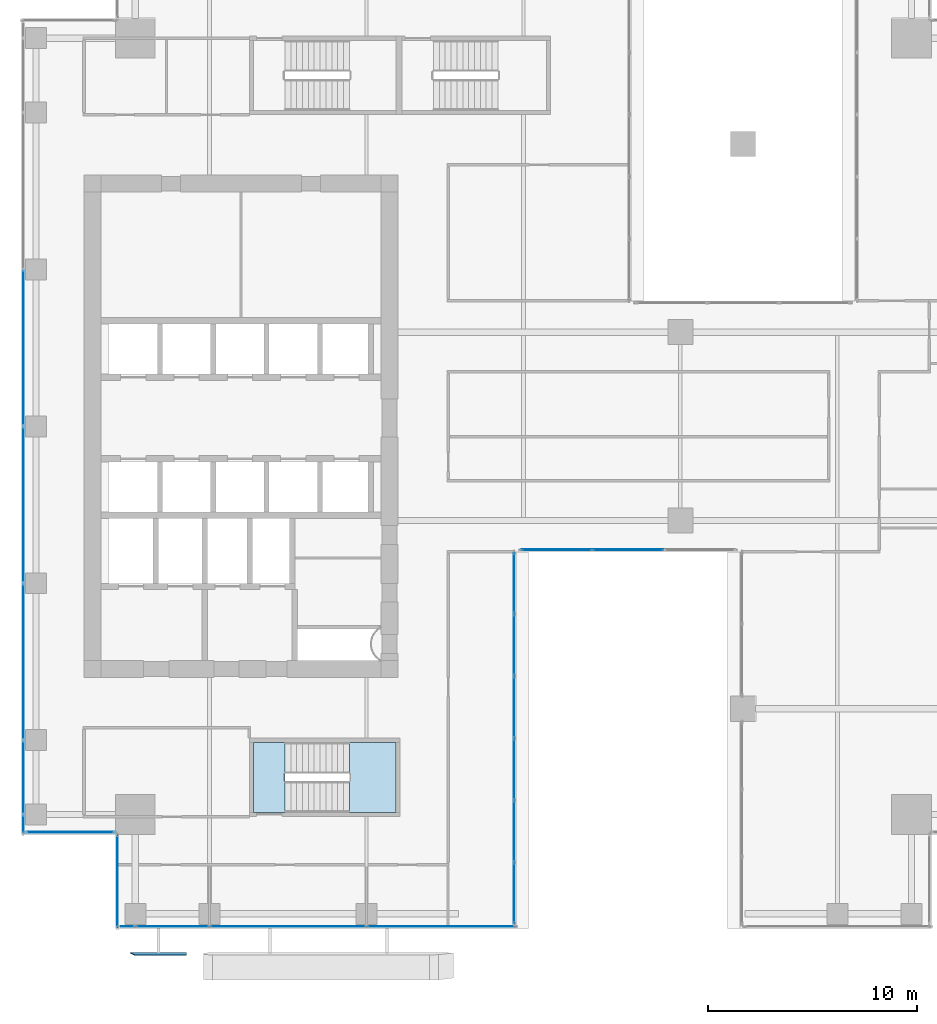
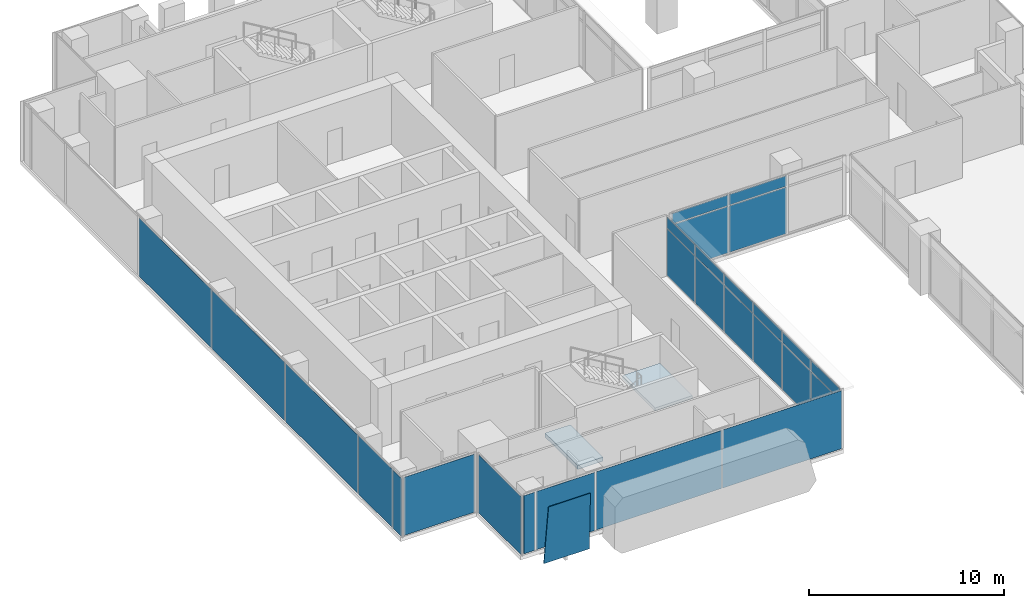
# One storey, part 28 of 38: 28 plates, 2 slabs, 7 elements without a shape of their own.
"""IFC4 building model written with IfcOpenShell, lengths in metres."""

from ifc_helpers import new_model, si_unit, direction, frame, origin, origin_2d, place, context, subcontext, project, spatial, polyline, rectangle, outline, extrude, source, transform, mapped, material, layer, layer_set, type_object, element, aggregate, save


model = new_model("IFC4")

# Units and contexts
model_context = context("Model", 3, precision=1e-05, world=origin(), true_north=direction((0.0, 1.0)))
body_context = subcontext(model_context, "Body", "Model", "MODEL_VIEW")
ifc_project = project(units=[si_unit("LENGTHUNIT", "METRE"), si_unit("AREAUNIT", "SQUARE_METRE"), si_unit("VOLUMEUNIT", "CUBIC_METRE"), si_unit("PLANEANGLEUNIT", "RADIAN"), si_unit("MASSUNIT", "GRAM", prefix="KILO")], contexts=[model_context])

# Site, building, storey
site_placement = place(None, origin())
site = spatial("IfcSite", under=ifc_project, at=site_placement, CompositionType="ELEMENT")
building_placement = place(site_placement, origin())
building = spatial("IfcBuilding", under=site, at=building_placement, Name="Khomas Fold Tower", CompositionType="ELEMENT")
storey_placement = place(building_placement, frame((0.0, 0.0, 172.699951171875)))
storey = spatial("IfcBuildingStorey", under=building, at=storey_placement, Name="L37", CompositionType="ELEMENT", Elevation=172.699951171875)

# Plate
ifc_material_1 = material(Name="Clear laminated glass", Category="glass")
ifc_layer_1 = layer(ifc_material_1, 0.0400390625)
ifc_layer_set_1 = layer_set([ifc_layer_1], Name="Clear laminated glass")
plate_type_1 = type_object("IfcPlateType", Name="SK-Clear laminated glass leaf", PredefinedType="SHEET", material=ifc_layer_set_1)
plate_1_placement = place(storey_placement, frame((10.89990234375, 1.849609375, 0.0), z_axis=(0.0, 0.999510801098, 0.031275525377), x_axis=(-1.0, 0.0, 0.0)))
element("IfcPlate", 1, at=plate_1_placement, inside=storey, type_object=plate_type_1, Name="OUTER SKIN glass L37 SG099-1", PredefinedType="SHEET", context=body_context, shape_type="SweptSolid", body=[
    extrude(outline(polyline([(0.0, 0.0), (2.69873046875, 0.0), (2.476318359375, 3.551786358110002), (0.0, 3.551786358110002), (0.0, 0.0)])), origin(), (0.0, 0.0, -1.0), 0.0400390625),
])

# Curtain wall, plate
ifc_material_2 = material(Name="Aluminium framed double glazing", Category="aluminium")
curtain_wall_type_1 = type_object("IfcCurtainWallType", Name="SK-Unitised clear-glass wall, office floors CW2", PredefinedType="NOTDEFINED", material=ifc_material_2)
curtain_wall_1_placement = place(storey_placement, origin())
curtain_wall_1 = element("IfcCurtainWall", 2, at=curtain_wall_1_placement, inside=storey, type_object=curtain_wall_type_1, Name="CW2 corner return L37 00", PredefinedType="NOTDEFINED")
ifc_material_3 = material(Name="Clear double glazed unit")
ifc_layer_2 = layer(ifc_material_3, 0.030029296875)
ifc_layer_set_2 = layer_set([ifc_layer_2], Name="Clear double glazed unit")
plate_type_2 = type_object("IfcPlateType", Name="SK-Unitised clear-glass wall, office floors glass panel CW2-P", PredefinedType="CURTAIN_PANEL", material=ifc_layer_set_2)
shared_shape_1 = source(origin(), body_context, "Body", "SweptSolid", [
    extrude(rectangle(XDim=4.3798828125, YDim=0.030029296875, at=origin_2d()), origin(), (0.0, 0.0, 1.0), 3.639892578125),
])
plate_2_placement = place(storey_placement, frame((7.60009765625, 5.25, 0.0), z_axis=(0.0, 0.0, 1.0), x_axis=(0.0, -1.0, 0.0)))
plate_2 = element("IfcPlate", 3, at=plate_2_placement, type_object=plate_type_2, Name="CW2 glass panel 1", PredefinedType="CURTAIN_PANEL", context=body_context, shape_type="MappedRepresentation", body=[
    mapped(shared_shape_1, transform((0.0, 0.0, 0.0))),
])
aggregate(curtain_wall_1, [plate_2])

# Curtain wall, plates
curtain_wall_2_placement = place(storey_placement, origin())
curtain_wall_2 = element("IfcCurtainWall", 4, at=curtain_wall_2_placement, inside=storey, type_object=curtain_wall_type_1, Name="CW2 run L37 01-0", PredefinedType="NOTDEFINED")
shared_shape_2 = source(origin(), body_context, "Body", "SweptSolid", [
    extrude(rectangle(XDim=0.659912109375, YDim=0.030029296875, at=origin_2d()), origin(), (0.0, 0.0, 1.0), 3.639892578125),
])
plate_3_placement = place(storey_placement, frame((8.090087890625, 3.10009765625, 0.0), z_axis=(0.0, 0.0, 1.0), x_axis=(1.0, 0.0, 0.0)))
plate_3 = element("IfcPlate", 5, at=plate_3_placement, type_object=plate_type_2, Name="CW2 glass panel 1", PredefinedType="CURTAIN_PANEL", context=body_context, shape_type="MappedRepresentation", body=[
    mapped(shared_shape_2, transform((0.0, 0.0, 0.0))),
])
shared_shape_3 = source(origin(), body_context, "Body", "SweptSolid", [
    extrude(rectangle(XDim=3.489990234375, YDim=0.030029296875, at=origin_2d()), origin(), (0.0, 0.0, 1.0), 3.639892578125),
])
plate_4_placement = place(storey_placement, frame((10.22509765625, 3.10009765625, 0.0), z_axis=(0.0, 0.0, 1.0), x_axis=(1.0, 0.0, 0.0)))
plate_4 = element("IfcPlate", 6, at=plate_4_placement, type_object=plate_type_2, Name="CW2 glass panel 2", PredefinedType="CURTAIN_PANEL", context=body_context, shape_type="MappedRepresentation", body=[
    mapped(shared_shape_3, transform((0.0, 0.0, 0.0))),
])

# Curtain wall, plate
curtain_wall_3_placement = place(storey_placement, origin())
curtain_wall_3 = element("IfcCurtainWall", 7, at=curtain_wall_3_placement, inside=storey, type_object=curtain_wall_type_1, Name="CW2 run L37 18-0", PredefinedType="NOTDEFINED")
plate_5_placement = place(storey_placement, frame((3.10009765625, 10.22509765625, 0.0), z_axis=(0.0, 0.0, 1.0), x_axis=(0.0, -1.0, 0.0)))
plate_5 = element("IfcPlate", 8, at=plate_5_placement, type_object=plate_type_2, Name="CW2 glass panel 7", PredefinedType="CURTAIN_PANEL", context=body_context, shape_type="MappedRepresentation", body=[
    mapped(shared_shape_3, transform((0.0, 0.0, 0.0))),
])

# Plate
shared_shape_4 = source(origin(), body_context, "Body", "SweptSolid", [
    extrude(rectangle(XDim=7.43994140625, YDim=0.030029296875, at=origin_2d()), origin(), (0.0, 0.0, 1.0), 3.639892578125),
])
plate_6_placement = place(storey_placement, frame((15.75, 3.10009765625, 0.0), z_axis=(0.0, 0.0, 1.0), x_axis=(1.0, 0.0, 0.0)))
plate_6 = element("IfcPlate", 9, at=plate_6_placement, type_object=plate_type_2, Name="CW2 glass panel 3", PredefinedType="CURTAIN_PANEL", context=body_context, shape_type="MappedRepresentation", body=[
    mapped(shared_shape_4, transform((0.0, 0.0, 0.0))),
])

plate_7_placement = place(storey_placement, frame((3.10009765625, 30.75, 0.0), z_axis=(0.0, 0.0, 1.0), x_axis=(0.0, -1.0, 0.0)))
plate_7 = element("IfcPlate", 10, at=plate_7_placement, type_object=plate_type_2, Name="CW2 glass panel 4", PredefinedType="CURTAIN_PANEL", context=body_context, shape_type="MappedRepresentation", body=[
    mapped(shared_shape_4, transform((0.0, 0.0, 0.0))),
])

plate_8_placement = place(storey_placement, frame((3.10009765625, 23.25, 0.0), z_axis=(0.0, 0.0, 1.0), x_axis=(0.0, -1.0, 0.0)))
plate_8 = element("IfcPlate", 11, at=plate_8_placement, type_object=plate_type_2, Name="CW2 glass panel 5", PredefinedType="CURTAIN_PANEL", context=body_context, shape_type="MappedRepresentation", body=[
    mapped(shared_shape_4, transform((0.0, 0.0, 0.0))),
])

plate_9_placement = place(storey_placement, frame((3.10009765625, 15.75, 0.0), z_axis=(0.0, 0.0, 1.0), x_axis=(0.0, -1.0, 0.0)))
plate_9 = element("IfcPlate", 12, at=plate_9_placement, type_object=plate_type_2, Name="CW2 glass panel 6", PredefinedType="CURTAIN_PANEL", context=body_context, shape_type="MappedRepresentation", body=[
    mapped(shared_shape_4, transform((0.0, 0.0, 0.0))),
])

# Curtain wall, plate
curtain_wall_4_placement = place(storey_placement, origin())
curtain_wall_4 = element("IfcCurtainWall", 13, at=curtain_wall_4_placement, inside=storey, type_object=curtain_wall_type_1, Name="CW2 corner return L37 19", PredefinedType="NOTDEFINED")
shared_shape_5 = source(origin(), body_context, "Body", "SweptSolid", [
    extrude(rectangle(XDim=4.179931640625, YDim=0.030029296875, at=origin_2d()), origin(), (0.0, 0.0, 1.0), 3.639892578125),
])
plate_10_placement = place(storey_placement, frame((5.35009765625, 7.60009765625, 0.0), z_axis=(0.0, 0.0, 1.0), x_axis=(1.0, 0.0, 0.0)))
plate_10 = element("IfcPlate", 14, at=plate_10_placement, type_object=plate_type_2, Name="CW2 glass panel 1", PredefinedType="CURTAIN_PANEL", context=body_context, shape_type="MappedRepresentation", body=[
    mapped(shared_shape_5, transform((0.0, 0.0, 0.0))),
])
aggregate(curtain_wall_4, [plate_10])

# Plate
shared_shape_6 = source(origin(), body_context, "Body", "SweptSolid", [
    extrude(rectangle(XDim=0.860107421875, YDim=0.030029296875, at=origin_2d()), origin(), (0.0, 0.0, 1.0), 3.639892578125),
])
plate_11_placement = place(storey_placement, frame((3.10009765625, 7.989990234375, 0.0), z_axis=(0.0, 0.0, 1.0), x_axis=(0.0, -1.0, 0.0)))
plate_11 = element("IfcPlate", 15, at=plate_11_placement, type_object=plate_type_2, Name="CW2 glass panel 8", PredefinedType="CURTAIN_PANEL", context=body_context, shape_type="MappedRepresentation", body=[
    mapped(shared_shape_6, transform((0.0, 0.0, 0.0))),
])

aggregate(curtain_wall_3, [plate_7, plate_8, plate_9, plate_5, plate_11])

shared_shape_7 = source(origin(), body_context, "Body", "SweptSolid", [
    extrude(rectangle(XDim=7.06005859375, YDim=0.030029296875, at=origin_2d()), origin(), (0.0, 0.0, 1.0), 3.639892578125),
])
plate_12_placement = place(storey_placement, frame((23.06005859375, 3.10009765625, 0.0), z_axis=(0.0, 0.0, 1.0), x_axis=(1.0, 0.0, 0.0)))
plate_12 = element("IfcPlate", 16, at=plate_12_placement, type_object=plate_type_2, Name="CW2 glass panel 4", PredefinedType="CURTAIN_PANEL", context=body_context, shape_type="MappedRepresentation", body=[
    mapped(shared_shape_7, transform((0.0, 0.0, 0.0))),
])

aggregate(curtain_wall_2, [plate_3, plate_4, plate_6, plate_12])

# Curtain wall, plates
ifc_material_4 = material(Name="Aluminium framed double glazing", Category="aluminium")
curtain_wall_type_2 = type_object("IfcCurtainWallType", Name="Notch glazing GN-CW", PredefinedType="NOTDEFINED", material=ifc_material_4)
curtain_wall_5_placement = place(storey_placement, origin())
curtain_wall_5 = element("IfcCurtainWall", 17, at=curtain_wall_5_placement, inside=storey, type_object=curtain_wall_type_2, Name="Notch glazing run", PredefinedType="NOTDEFINED")
ifc_material_5 = material(Name="Double glazed unit")
ifc_layer_3 = layer(ifc_material_5, 0.031982421875)
ifc_layer_set_3 = layer_set([ifc_layer_3], Name="Double glazed unit")
plate_type_3 = type_object("IfcPlateType", Name="Notch glazing panel GN-CW-P", PredefinedType="CURTAIN_PANEL", material=ifc_layer_set_3)
shared_shape_8 = source(origin(), body_context, "Body", "SweptSolid", [
    extrude(rectangle(XDim=2.876708984375, YDim=0.031982421875, at=origin_2d()), origin(), (0.0, 0.0, 1.0), 2.909912109375),
])
plate_13_placement = place(storey_placement, frame((26.550048828125, 4.6982421875, 0.06005859375), z_axis=(0.0, 0.0, 1.0), x_axis=(0.0, 1.0, 0.0)))
plate_13 = element("IfcPlate", 18, at=plate_13_placement, type_object=plate_type_3, Name="GN-CW panel 1.1", PredefinedType="CURTAIN_PANEL", context=body_context, shape_type="MappedRepresentation", body=[
    mapped(shared_shape_8, transform((0.0, 0.0, 0.0))),
])
plate_14_placement = place(storey_placement, frame((26.550048828125, 19.501708984375, 0.06005859375), z_axis=(0.0, 0.0, 1.0), x_axis=(0.0, 1.0, 0.0)))
plate_14 = element("IfcPlate", 19, at=plate_14_placement, type_object=plate_type_3, Name="GN-CW panel 6.1", PredefinedType="CURTAIN_PANEL", context=body_context, shape_type="MappedRepresentation", body=[
    mapped(shared_shape_8, transform((0.0, 0.0, 0.0))),
])
shared_shape_9 = source(origin(), body_context, "Body", "SweptSolid", [
    extrude(rectangle(XDim=2.90673828125, YDim=0.031982421875, at=origin_2d()), origin(), (0.0, 0.0, 1.0), 2.909912109375),
])
plate_15_placement = place(storey_placement, frame((26.550048828125, 7.64990234375, 0.06005859375), z_axis=(0.0, 0.0, 1.0), x_axis=(0.0, 1.0, 0.0)))
plate_15 = element("IfcPlate", 20, at=plate_15_placement, type_object=plate_type_3, Name="GN-CW panel 2.1", PredefinedType="CURTAIN_PANEL", context=body_context, shape_type="MappedRepresentation", body=[
    mapped(shared_shape_9, transform((0.0, 0.0, 0.0))),
])
plate_16_placement = place(storey_placement, frame((26.550048828125, 10.61669921875, 0.06005859375), z_axis=(0.0, 0.0, 1.0), x_axis=(0.0, 1.0, 0.0)))
plate_16 = element("IfcPlate", 21, at=plate_16_placement, type_object=plate_type_3, Name="GN-CW panel 3.1", PredefinedType="CURTAIN_PANEL", context=body_context, shape_type="MappedRepresentation", body=[
    mapped(shared_shape_9, transform((0.0, 0.0, 0.0))),
])
plate_17_placement = place(storey_placement, frame((26.550048828125, 13.583251953125, 0.06005859375), z_axis=(0.0, 0.0, 1.0), x_axis=(0.0, 1.0, 0.0)))
plate_17 = element("IfcPlate", 22, at=plate_17_placement, type_object=plate_type_3, Name="GN-CW panel 4.1", PredefinedType="CURTAIN_PANEL", context=body_context, shape_type="MappedRepresentation", body=[
    mapped(shared_shape_9, transform((0.0, 0.0, 0.0))),
])
plate_18_placement = place(storey_placement, frame((26.550048828125, 16.550048828125, 0.06005859375), z_axis=(0.0, 0.0, 1.0), x_axis=(0.0, 1.0, 0.0)))
plate_18 = element("IfcPlate", 23, at=plate_18_placement, type_object=plate_type_3, Name="GN-CW panel 5.1", PredefinedType="CURTAIN_PANEL", context=body_context, shape_type="MappedRepresentation", body=[
    mapped(shared_shape_9, transform((0.0, 0.0, 0.0))),
])
shared_shape_10 = source(origin(), body_context, "Body", "SweptSolid", [
    extrude(rectangle(XDim=2.876708984375, YDim=0.031982421875, at=origin_2d()), origin(), (0.0, 0.0, 1.0), 0.659912109375),
])
plate_19_placement = place(storey_placement, frame((26.550048828125, 4.6982421875, 3.0302734375), z_axis=(0.0, 0.0, 1.0), x_axis=(0.0, 1.0, 0.0)))
plate_19 = element("IfcPlate", 24, at=plate_19_placement, type_object=plate_type_3, Name="GN-CW panel 1.2", PredefinedType="CURTAIN_PANEL", context=body_context, shape_type="MappedRepresentation", body=[
    mapped(shared_shape_10, transform((0.0, 0.0, 0.0))),
])
plate_20_placement = place(storey_placement, frame((26.550048828125, 19.501708984375, 3.0302734375), z_axis=(0.0, 0.0, 1.0), x_axis=(0.0, 1.0, 0.0)))
plate_20 = element("IfcPlate", 25, at=plate_20_placement, type_object=plate_type_3, Name="GN-CW panel 6.2", PredefinedType="CURTAIN_PANEL", context=body_context, shape_type="MappedRepresentation", body=[
    mapped(shared_shape_10, transform((0.0, 0.0, 0.0))),
])
shared_shape_11 = source(origin(), body_context, "Body", "SweptSolid", [
    extrude(rectangle(XDim=2.90673828125, YDim=0.031982421875, at=origin_2d()), origin(), (0.0, 0.0, 1.0), 0.659912109375),
])
plate_21_placement = place(storey_placement, frame((26.550048828125, 7.64990234375, 3.0302734375), z_axis=(0.0, 0.0, 1.0), x_axis=(0.0, 1.0, 0.0)))
plate_21 = element("IfcPlate", 26, at=plate_21_placement, type_object=plate_type_3, Name="GN-CW panel 2.2", PredefinedType="CURTAIN_PANEL", context=body_context, shape_type="MappedRepresentation", body=[
    mapped(shared_shape_11, transform((0.0, 0.0, 0.0))),
])
plate_22_placement = place(storey_placement, frame((26.550048828125, 10.61669921875, 3.0302734375), z_axis=(0.0, 0.0, 1.0), x_axis=(0.0, 1.0, 0.0)))
plate_22 = element("IfcPlate", 27, at=plate_22_placement, type_object=plate_type_3, Name="GN-CW panel 3.2", PredefinedType="CURTAIN_PANEL", context=body_context, shape_type="MappedRepresentation", body=[
    mapped(shared_shape_11, transform((0.0, 0.0, 0.0))),
])
plate_23_placement = place(storey_placement, frame((26.550048828125, 13.583251953125, 3.0302734375), z_axis=(0.0, 0.0, 1.0), x_axis=(0.0, 1.0, 0.0)))
plate_23 = element("IfcPlate", 28, at=plate_23_placement, type_object=plate_type_3, Name="GN-CW panel 4.2", PredefinedType="CURTAIN_PANEL", context=body_context, shape_type="MappedRepresentation", body=[
    mapped(shared_shape_11, transform((0.0, 0.0, 0.0))),
])
plate_24_placement = place(storey_placement, frame((26.550048828125, 16.550048828125, 3.0302734375), z_axis=(0.0, 0.0, 1.0), x_axis=(0.0, 1.0, 0.0)))
plate_24 = element("IfcPlate", 29, at=plate_24_placement, type_object=plate_type_3, Name="GN-CW panel 5.2", PredefinedType="CURTAIN_PANEL", context=body_context, shape_type="MappedRepresentation", body=[
    mapped(shared_shape_11, transform((0.0, 0.0, 0.0))),
])
aggregate(curtain_wall_5, [plate_13, plate_19, plate_15, plate_21, plate_16, plate_22, plate_17, plate_23, plate_18, plate_24, plate_14, plate_20])

curtain_wall_6_placement = place(storey_placement, origin())
curtain_wall_6 = element("IfcCurtainWall", 30, at=curtain_wall_6_placement, inside=storey, type_object=curtain_wall_type_2, Name="Notch glazing run", PredefinedType="NOTDEFINED")
shared_shape_12 = source(origin(), body_context, "Body", "SweptSolid", [
    extrude(rectangle(XDim=3.34326171875, YDim=0.031982421875, at=origin_2d()), origin(), (0.0, 0.0, 1.0), 2.909912109375),
])
plate_25_placement = place(storey_placement, frame((28.581787109375, 21.10009765625, 0.06005859375), z_axis=(0.0, 0.0, 1.0), x_axis=(1.0, 0.0, 0.0)))
plate_25 = element("IfcPlate", 31, at=plate_25_placement, type_object=plate_type_3, Name="GN-CW panel 1.1", PredefinedType="CURTAIN_PANEL", context=body_context, shape_type="MappedRepresentation", body=[
    mapped(shared_shape_12, transform((0.0, 0.0, 0.0))),
])
shared_shape_13 = source(origin(), body_context, "Body", "SweptSolid", [
    extrude(rectangle(XDim=3.34326171875, YDim=0.031982421875, at=origin_2d()), origin(), (0.0, 0.0, 1.0), 0.659912109375),
])
plate_26_placement = place(storey_placement, frame((28.581787109375, 21.10009765625, 3.0302734375), z_axis=(0.0, 0.0, 1.0), x_axis=(1.0, 0.0, 0.0)))
plate_26 = element("IfcPlate", 32, at=plate_26_placement, type_object=plate_type_3, Name="GN-CW panel 1.2", PredefinedType="CURTAIN_PANEL", context=body_context, shape_type="MappedRepresentation", body=[
    mapped(shared_shape_13, transform((0.0, 0.0, 0.0))),
])
shared_shape_14 = source(origin(), body_context, "Body", "SweptSolid", [
    extrude(rectangle(XDim=3.373291015625, YDim=0.031982421875, at=origin_2d()), origin(), (0.0, 0.0, 1.0), 2.909912109375),
])
plate_27_placement = place(storey_placement, frame((32.0, 21.10009765625, 0.06005859375), z_axis=(0.0, 0.0, 1.0), x_axis=(1.0, 0.0, 0.0)))
plate_27 = element("IfcPlate", 33, at=plate_27_placement, type_object=plate_type_3, Name="GN-CW panel 2.1", PredefinedType="CURTAIN_PANEL", context=body_context, shape_type="MappedRepresentation", body=[
    mapped(shared_shape_14, transform((0.0, 0.0, 0.0))),
])
shared_shape_15 = source(origin(), body_context, "Body", "SweptSolid", [
    extrude(rectangle(XDim=3.373291015625, YDim=0.031982421875, at=origin_2d()), origin(), (0.0, 0.0, 1.0), 0.659912109375),
])
plate_28_placement = place(storey_placement, frame((32.0, 21.10009765625, 3.0302734375), z_axis=(0.0, 0.0, 1.0), x_axis=(1.0, 0.0, 0.0)))
plate_28 = element("IfcPlate", 34, at=plate_28_placement, type_object=plate_type_3, Name="GN-CW panel 2.2", PredefinedType="CURTAIN_PANEL", context=body_context, shape_type="MappedRepresentation", body=[
    mapped(shared_shape_15, transform((0.0, 0.0, 0.0))),
])
aggregate(curtain_wall_6, [plate_25, plate_26, plate_27, plate_28])

# Stair, slab
ifc_material_6 = material(Name="Concrete C40/50", Category="concrete")
stair_type = type_object("IfcStairType", Name="Stair ST2", PredefinedType="HALF_TURN_STAIR", material=ifc_material_6)
stair_placement = place(storey_placement, origin())
stair = element("IfcStair", 35, at=stair_placement, inside=storey, type_object=stair_type, Name="L37 ST2", PredefinedType="HALF_TURN_STAIR")
ifc_material_7 = material(Name="Concrete C40/50", Category="concrete")
ifc_layer_4 = layer(ifc_material_7, 0.199951171875)
ifc_layer_set_4 = layer_set([ifc_layer_4], Name="Concrete C40/50")
slab_type_1 = type_object("IfcSlabType", Name="Stair landing 200", PredefinedType="LANDING", material=ifc_layer_set_4)
shared_shape_16 = source(origin(), body_context, "Body", "SweptSolid", [
    extrude(outline(polyline([(18.679931640625, 8.550048828125), (20.89990234375, 8.550048828125), (20.89990234375, 11.89990234375), (18.679931640625, 11.89990234375), (18.679931640625, 8.550048828125)])), origin(), (0.0, 0.0, 1.0), 0.199951171875),
])
slab_1_placement = place(storey_placement, frame((0.0, 0.0, 1.800048828125)))
slab_1 = element("IfcSlab", 36, at=slab_1_placement, type_object=slab_type_1, Name="ST2 landing 1", PredefinedType="LANDING", context=body_context, shape_type="MappedRepresentation", body=[
    mapped(shared_shape_16, transform((0.0, 0.0, 0.0))),
])
aggregate(stair, [slab_1])

# Slab
ifc_material_8 = material(Name="Concrete C40/50", Category="concrete")
ifc_layer_5 = layer(ifc_material_8, 0.25)
ifc_layer_set_5 = layer_set([ifc_layer_5], Name="Concrete C40/50")
slab_type_2 = type_object("IfcSlabType", Name="Stair floor landing 250", PredefinedType="LANDING", material=ifc_layer_set_5)
shared_shape_17 = source(origin(), body_context, "Body", "SweptSolid", [
    extrude(outline(polyline([(15.60009765625, 8.550048828125), (14.10009765625, 8.550048828125), (14.10009765625, 11.89990234375), (15.60009765625, 11.89990234375), (15.60009765625, 8.550048828125)])), origin(), (0.0, 0.0, 1.0), 0.25),
])
slab_2_placement = place(storey_placement, frame((0.0, 0.0, -0.25)))
element("IfcSlab", 37, at=slab_2_placement, inside=storey, type_object=slab_type_2, Name="ST2 floor landing", PredefinedType="LANDING", context=body_context, shape_type="MappedRepresentation", body=[
    mapped(shared_shape_17, transform((0.0, 0.0, 0.0))),
])

save(model, "model.ifc")
